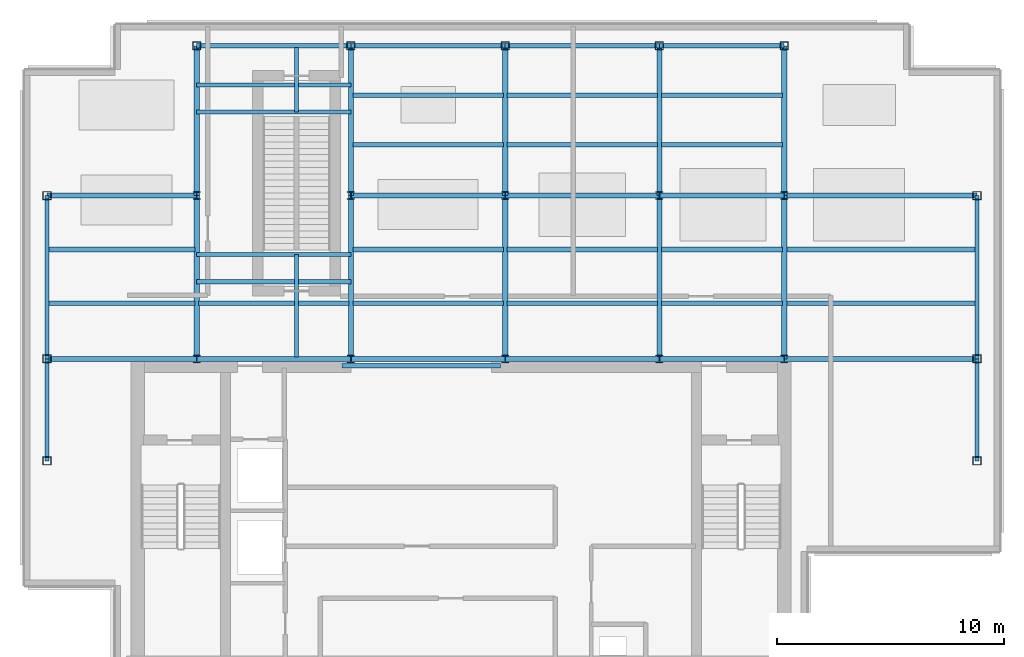
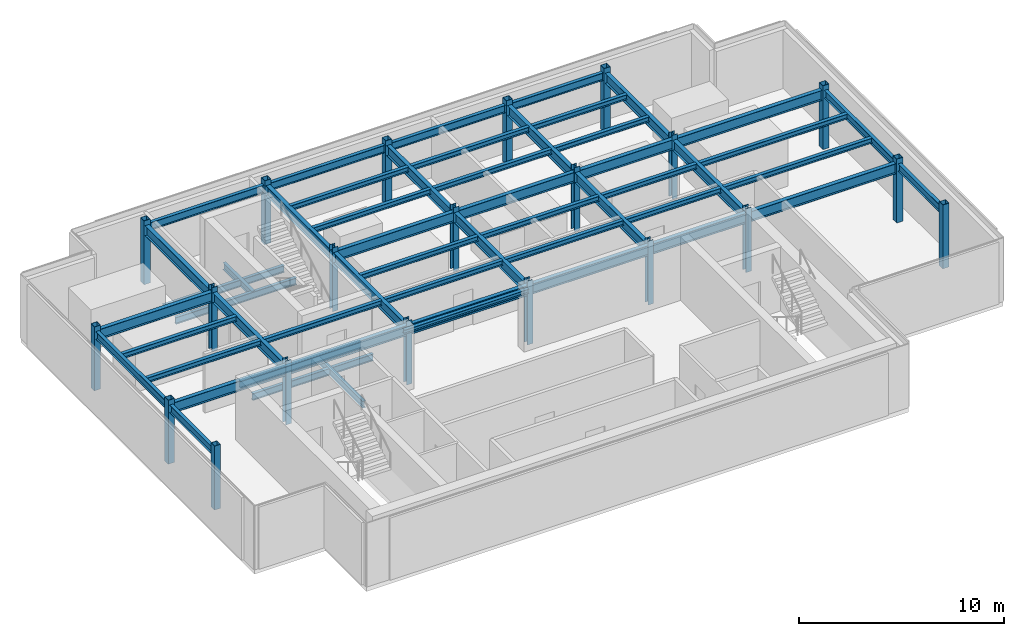
# One storey, part 1 of 7: 53 beams, 21 columns.
"""IFC4 building model written with IfcOpenShell, lengths in metres."""

from ifc_helpers import new_model, si_unit, derived_unit, direction, frame, origin, origin_2d, place, context, subcontext, project, spatial, hollow_rectangle, i_section, extrude, source, transform, mapped, material, material_profile, profile_set, type_object, element, save


model = new_model("IFC4")

# Units and contexts
model_context = context("Model", 3, precision=1e-05, world=origin(), true_north=direction((0.0, 1.0)))
body_context = subcontext(model_context, "Body", "Model", "MODEL_VIEW")
ifc_project = project(units=[si_unit("LENGTHUNIT", "METRE"), si_unit("AREAUNIT", "SQUARE_METRE"), si_unit("VOLUMEUNIT", "CUBIC_METRE"), si_unit("PLANEANGLEUNIT", "RADIAN"), si_unit("MASSUNIT", "GRAM", prefix="KILO"), derived_unit("THERMALTRANSMITTANCEUNIT", [(si_unit("POWERUNIT", "WATT"), 1), (si_unit("LENGTHUNIT", "METRE"), -2), (si_unit("THERMODYNAMICTEMPERATUREUNIT", "KELVIN"), -1)])], contexts=[model_context])

# Site, building, storey
site_placement = place(None, origin())
site = spatial("IfcSite", under=ifc_project, at=site_placement, CompositionType="ELEMENT")
building_placement = place(site_placement, origin())
building = spatial("IfcBuilding", under=site, at=building_placement, Name="Skarnbrae Concourse Arena and Tower", CompositionType="ELEMENT")
storey_placement = place(building_placement, frame((0.0, 0.0, 299.85009765625)))
storey = spatial("IfcBuildingStorey", under=building, at=storey_placement, Name="L78", CompositionType="ELEMENT", Elevation=299.85009765625)

# Columns
ifc_material = material(Name="Steel CSA G40.21 350W", Category="steel")
ifc_material_profile_1 = material_profile(ifc_material, hollow_rectangle(XDim=0.355712890625, YDim=0.355712890625, WallThickness=0.01904296875, at=origin_2d()), Name="HSS356X356X19.0")
ifc_profile_set_1 = profile_set([ifc_material_profile_1], Name="Steel CSA G40.21 350W")
column_type_1 = type_object("IfcColumnType", Name="COL-CROWN-HSS356", PredefinedType="COLUMN", material=ifc_profile_set_1)
shared_shape_1 = source(origin(), body_context, "Body", "SweptSolid", [
    extrude(hollow_rectangle(XDim=0.355712890625, YDim=0.355712890625, WallThickness=0.01904296875, at=origin_2d()), origin(), (0.0, 0.0, 1.0), 3.7998046875),
])
for number, where, z_axis, x_axis, name in (
    (1, (1.0, 9.5, 0.0), (0.0, 0.0, 1.0), (1.0, 0.0, 0.0), "L78 Tower column PC_01_01"),
    (2, (1.0, 14.0, 0.0), (0.0, 0.0, 1.0), (1.0, 0.0, 0.0), "L78 Tower column PC_01_02"),
    (3, (1.0, 21.199951171875, 0.0), (0.0, 0.0, 1.0), (1.0, 0.0, 0.0), "L78 Tower column PC_01_03"),
    (4, (7.60009765625, 27.800048828125, 0.0), (0.0, 0.0, 1.0), (1.0, 0.0, 0.0), "L78 Tower column PC_02_04"),
    (5, (14.39990234375, 27.800048828125, 0.0), (0.0, 0.0, 1.0), (1.0, 0.0, 0.0), "L78 Tower column PC_03_04"),
    (6, (21.199951171875, 27.800048828125, 0.0), (0.0, 0.0, 1.0), (1.0, 0.0, 0.0), "L78 Tower column PC_04_04"),
    (7, (28.0, 27.800048828125, 0.0), (0.0, 0.0, 1.0), (1.0, 0.0, 0.0), "L78 Tower column PC_05_04"),
    (8, (33.5, 27.800048828125, 0.0), (0.0, 0.0, 1.0), (1.0, 0.0, 0.0), "L78 Tower column PC_06_04"),
    (9, (42.0, 9.5, 0.0), (0.0, 0.0, 1.0), (1.0, 0.0, 0.0), "L78 Tower column PC_07_01"),
    (10, (42.0, 14.0, 0.0), (0.0, 0.0, 1.0), (1.0, 0.0, 0.0), "L78 Tower column PC_07_02"),
    (11, (42.0, 21.199951171875, 0.0), (0.0, 0.0, 1.0), (1.0, 0.0, 0.0), "L78 Tower column PC_07_03"),
):
    element("IfcColumn", number, at=place(storey_placement, frame(where, z_axis=z_axis, x_axis=x_axis)), inside=storey, type_object=column_type_1, Name=name, PredefinedType="COLUMN", context=body_context, shape_type="MappedRepresentation", body=[
        mapped(shared_shape_1, transform((0.0, 0.0, 0.0))),
    ])
ifc_material_profile_2 = material_profile(ifc_material, i_section(OverallWidth=0.30908203125, OverallDepth=0.322998046875, WebThickness=0.013916015625, FlangeThickness=0.02294921875, at=origin_2d()), Name="W310X143")
ifc_profile_set_2 = profile_set([ifc_material_profile_2], Name="Steel CSA G40.21 350W")
column_type_2 = type_object("IfcColumnType", Name="COL-INT-W310X143", PredefinedType="COLUMN", material=ifc_profile_set_2)
shared_shape_2 = source(origin(), body_context, "Body", "SweptSolid", [
    extrude(i_section(OverallWidth=0.30908203125, OverallDepth=0.322998046875, WebThickness=0.013916015625, FlangeThickness=0.02294921875, at=origin_2d()), origin(), (0.0, 0.0, 1.0), 3.7998046875),
])
for number, where, z_axis, x_axis, name in (
    (12, (7.60009765625, 14.0, 0.0), (0.0, 0.0, 1.0), (1.0, 0.0, 0.0), "L78 Tower column IC_02_02"),
    (13, (7.60009765625, 21.199951171875, 0.0), (0.0, 0.0, 1.0), (1.0, 0.0, 0.0), "L78 Tower column IC_02_03"),
    (14, (14.39990234375, 14.0, 0.0), (0.0, 0.0, 1.0), (1.0, 0.0, 0.0), "L78 Tower column IC_03_02"),
    (15, (14.39990234375, 21.199951171875, 0.0), (0.0, 0.0, 1.0), (1.0, 0.0, 0.0), "L78 Tower column IC_03_03"),
    (16, (21.199951171875, 14.0, 0.0), (0.0, 0.0, 1.0), (1.0, 0.0, 0.0), "L78 Tower column IC_04_02"),
    (17, (21.199951171875, 21.199951171875, 0.0), (0.0, 0.0, 1.0), (1.0, 0.0, 0.0), "L78 Tower column IC_04_03"),
    (18, (28.0, 14.0, 0.0), (0.0, 0.0, 1.0), (1.0, 0.0, 0.0), "L78 Tower column IC_05_02"),
    (19, (28.0, 21.199951171875, 0.0), (0.0, 0.0, 1.0), (1.0, 0.0, 0.0), "L78 Tower column IC_05_03"),
    (20, (33.5, 14.0, 0.0), (0.0, 0.0, 1.0), (1.0, 0.0, 0.0), "L78 Tower column IC_06_02"),
    (21, (33.5, 21.199951171875, 0.0), (0.0, 0.0, 1.0), (1.0, 0.0, 0.0), "L78 Tower column IC_06_03"),
):
    element("IfcColumn", number, at=place(storey_placement, frame(where, z_axis=z_axis, x_axis=x_axis)), inside=storey, type_object=column_type_2, Name=name, PredefinedType="COLUMN", context=body_context, shape_type="MappedRepresentation", body=[
        mapped(shared_shape_2, transform((0.0, 0.0, 0.0))),
    ])

# Beams
ifc_material_profile_3 = material_profile(ifc_material, i_section(OverallWidth=0.202880859375, OverallDepth=0.251953125, WebThickness=0.008056640625, FlangeThickness=0.013427734375, at=origin_2d()), Name="W250X58")
ifc_profile_set_3 = profile_set([ifc_material_profile_3], Name="Steel CSA G40.21 350W")
beam_type_1 = type_object("IfcBeamType", Name="BM-LINTEL-W250X58", PredefinedType="LINTEL", material=ifc_profile_set_3)
shared_shape_3 = source(origin(), body_context, "Body", "SweptSolid", [
    extrude(i_section(OverallWidth=0.202880859375, OverallDepth=0.251953125, WebThickness=0.008056640625, FlangeThickness=0.013427734375, at=origin_2d()), origin(), (0.0, 0.0, 1.0), 7.0),
])
beam_1_placement = place(storey_placement, frame((14.0, 13.699951171875, 3.3740234375), z_axis=(1.0, 0.0, 0.0), x_axis=(0.0, 1.0, 0.0)))
element("IfcBeam", 22, at=beam_1_placement, inside=storey, type_object=beam_type_1, Name="L78 Core portal coupling lintel", PredefinedType="LINTEL", context=body_context, shape_type="MappedRepresentation", body=[
    mapped(shared_shape_3, transform((0.0, 0.0, 0.0))),
])
ifc_material_profile_4 = material_profile(ifc_material, i_section(OverallWidth=0.22802734375, OverallDepth=0.60791015625, WebThickness=0.01123046875, FlangeThickness=0.017333984375, at=origin_2d()), Name="W610X113")
ifc_profile_set_4 = profile_set([ifc_material_profile_4], Name="Steel CSA G40.21 350W")
beam_type_2 = type_object("IfcBeamType", Name="BM-GIRD-W610X113", PredefinedType="BEAM", material=ifc_profile_set_4)
shared_shape_4 = source(origin(), body_context, "Body", "SweptSolid", [
    extrude(i_section(OverallWidth=0.22802734375, OverallDepth=0.60791015625, WebThickness=0.01123046875, FlangeThickness=0.017333984375, at=origin_2d()), origin(), (0.0, 0.0, 1.0), 6.60009765625),
])
for number, where, z_axis, x_axis, name in (
    (23, (1.0, 14.0, 3.19580078125), (1.0, 0.0, 0.0), (0.0, 1.0, 0.0), "L78 Primary E-W girder Y14.0-1"),
    (24, (1.0, 21.199951171875, 3.19580078125), (1.0, 0.0, 0.0), (0.0, 1.0, 0.0), "L78 Primary E-W girder Y21.2-1"),
    (25, (7.60009765625, 21.199951171875, 3.19580078125), (0.0, 1.0, 0.0), (-1.0, 0.0, 0.0), "L78 Primary N-S girder X7.6-2"),
    (26, (14.39990234375, 21.199951171875, 3.19580078125), (0.0, 1.0, 0.0), (-1.0, 0.0, 0.0), "L78 Primary N-S girder X14.4-2"),
    (27, (21.199951171875, 21.199951171875, 3.19580078125), (0.0, 1.0, 0.0), (-1.0, 0.0, 0.0), "L78 Primary N-S girder X21.2-2"),
    (28, (28.0, 21.199951171875, 3.19580078125), (0.0, 1.0, 0.0), (-1.0, 0.0, 0.0), "L78 Primary N-S girder X28.0-2"),
    (29, (33.5, 21.199951171875, 3.19580078125), (0.0, 1.0, 0.0), (-1.0, 0.0, 0.0), "L78 Primary N-S girder X33.5-2"),
):
    element("IfcBeam", number, at=place(storey_placement, frame(where, z_axis=z_axis, x_axis=x_axis)), inside=storey, type_object=beam_type_2, Name=name, PredefinedType="BEAM", context=body_context, shape_type="MappedRepresentation", body=[
        mapped(shared_shape_4, transform((0.0, 0.0, 0.0))),
    ])
shared_shape_5 = source(origin(), body_context, "Body", "SweptSolid", [
    extrude(i_section(OverallWidth=0.22802734375, OverallDepth=0.60791015625, WebThickness=0.01123046875, FlangeThickness=0.017333984375, at=origin_2d()), origin(), (0.0, 0.0, 1.0), 6.7998046875),
])
beam_2_placement = place(storey_placement, frame((7.60009765625, 14.0, 3.19580078125), z_axis=(1.0, 0.0, 0.0), x_axis=(0.0, 1.0, 0.0)))
element("IfcBeam", 30, at=beam_2_placement, inside=storey, type_object=beam_type_2, Name="L78 Primary E-W girder Y14.0-2", PredefinedType="BEAM", context=body_context, shape_type="MappedRepresentation", body=[
    mapped(shared_shape_5, transform((0.0, 0.0, 0.0))),
])
shared_shape_6 = source(origin(), body_context, "Body", "SweptSolid", [
    extrude(i_section(OverallWidth=0.22802734375, OverallDepth=0.60791015625, WebThickness=0.01123046875, FlangeThickness=0.017333984375, at=origin_2d()), origin(), (0.0, 0.0, 1.0), 6.800048828125),
])
for number, where, z_axis, x_axis, name in (
    (31, (14.39990234375, 14.0, 3.19580078125), (1.0, 0.0, 0.0), (0.0, 1.0, 0.0), "L78 Primary E-W girder Y14.0-3"),
    (32, (21.199951171875, 14.0, 3.19580078125), (1.0, 0.0, 0.0), (0.0, 1.0, 0.0), "L78 Primary E-W girder Y14.0-4"),
    (33, (14.39990234375, 21.199951171875, 3.19580078125), (1.0, 0.0, 0.0), (0.0, 1.0, 0.0), "L78 Primary E-W girder Y21.2-3"),
    (34, (21.199951171875, 21.199951171875, 3.19580078125), (1.0, 0.0, 0.0), (0.0, 1.0, 0.0), "L78 Primary E-W girder Y21.2-4"),
):
    element("IfcBeam", number, at=place(storey_placement, frame(where, z_axis=z_axis, x_axis=x_axis)), inside=storey, type_object=beam_type_2, Name=name, PredefinedType="BEAM", context=body_context, shape_type="MappedRepresentation", body=[
        mapped(shared_shape_6, transform((0.0, 0.0, 0.0))),
    ])
shared_shape_7 = source(origin(), body_context, "Body", "SweptSolid", [
    extrude(i_section(OverallWidth=0.22802734375, OverallDepth=0.60791015625, WebThickness=0.01123046875, FlangeThickness=0.017333984375, at=origin_2d()), origin(), (0.0, 0.0, 1.0), 5.5),
])
for number, where, z_axis, x_axis, name in (
    (35, (28.0, 14.0, 3.19580078125), (1.0, 0.0, 0.0), (0.0, 1.0, 0.0), "L78 Primary E-W girder Y14.0-5"),
    (36, (28.0, 21.199951171875, 3.19580078125), (1.0, 0.0, 0.0), (0.0, 1.0, 0.0), "L78 Primary E-W girder Y21.2-5"),
):
    element("IfcBeam", number, at=place(storey_placement, frame(where, z_axis=z_axis, x_axis=x_axis)), inside=storey, type_object=beam_type_2, Name=name, PredefinedType="BEAM", context=body_context, shape_type="MappedRepresentation", body=[
        mapped(shared_shape_7, transform((0.0, 0.0, 0.0))),
    ])
shared_shape_8 = source(origin(), body_context, "Body", "SweptSolid", [
    extrude(i_section(OverallWidth=0.22802734375, OverallDepth=0.60791015625, WebThickness=0.01123046875, FlangeThickness=0.017333984375, at=origin_2d()), origin(), (0.0, 0.0, 1.0), 8.5),
])
for number, where, z_axis, x_axis, name in (
    (37, (33.5, 14.0, 3.19580078125), (1.0, 0.0, 0.0), (0.0, 1.0, 0.0), "L78 Primary E-W girder Y14.0-6"),
    (38, (33.5, 21.199951171875, 3.19580078125), (1.0, 0.0, 0.0), (0.0, 1.0, 0.0), "L78 Primary E-W girder Y21.2-6"),
):
    element("IfcBeam", number, at=place(storey_placement, frame(where, z_axis=z_axis, x_axis=x_axis)), inside=storey, type_object=beam_type_2, Name=name, PredefinedType="BEAM", context=body_context, shape_type="MappedRepresentation", body=[
        mapped(shared_shape_8, transform((0.0, 0.0, 0.0))),
    ])
ifc_material_profile_5 = material_profile(ifc_material, i_section(OverallWidth=0.19091796875, OverallDepth=0.4599609375, WebThickness=0.010009765625, FlangeThickness=0.01611328125, at=origin_2d()), Name="W460X82")
ifc_profile_set_5 = profile_set([ifc_material_profile_5], Name="Steel CSA G40.21 350W")
beam_type_3 = type_object("IfcBeamType", Name="BM-SPAN-W460X82", PredefinedType="SPANDREL", material=ifc_profile_set_5)
shared_shape_9 = source(origin(), body_context, "Body", "SweptSolid", [
    extrude(i_section(OverallWidth=0.19091796875, OverallDepth=0.4599609375, WebThickness=0.010009765625, FlangeThickness=0.01611328125, at=origin_2d()), origin(), (0.0, 0.0, 1.0), 6.7998046875),
])
beam_3_placement = place(storey_placement, frame((7.60009765625, 27.800048828125, 3.27001953125), z_axis=(1.0, 0.0, 0.0), x_axis=(0.0, 1.0, 0.0)))
element("IfcBeam", 39, at=beam_3_placement, inside=storey, type_object=beam_type_3, Name="L78 Perimeter spandrel Y27.8-1", PredefinedType="SPANDREL", context=body_context, shape_type="MappedRepresentation", body=[
    mapped(shared_shape_9, transform((0.0, 0.0, 0.0))),
])
shared_shape_10 = source(origin(), body_context, "Body", "SweptSolid", [
    extrude(i_section(OverallWidth=0.19091796875, OverallDepth=0.4599609375, WebThickness=0.010009765625, FlangeThickness=0.01611328125, at=origin_2d()), origin(), (0.0, 0.0, 1.0), 6.800048828125),
])
for number, where, z_axis, x_axis, name in (
    (40, (14.39990234375, 27.800048828125, 3.27001953125), (1.0, 0.0, 0.0), (0.0, 1.0, 0.0), "L78 Perimeter spandrel Y27.8-2"),
    (41, (21.199951171875, 27.800048828125, 3.27001953125), (1.0, 0.0, 0.0), (0.0, 1.0, 0.0), "L78 Perimeter spandrel Y27.8-3"),
):
    element("IfcBeam", number, at=place(storey_placement, frame(where, z_axis=z_axis, x_axis=x_axis)), inside=storey, type_object=beam_type_3, Name=name, PredefinedType="SPANDREL", context=body_context, shape_type="MappedRepresentation", body=[
        mapped(shared_shape_10, transform((0.0, 0.0, 0.0))),
    ])
shared_shape_11 = source(origin(), body_context, "Body", "SweptSolid", [
    extrude(i_section(OverallWidth=0.19091796875, OverallDepth=0.4599609375, WebThickness=0.010009765625, FlangeThickness=0.01611328125, at=origin_2d()), origin(), (0.0, 0.0, 1.0), 5.5),
])
beam_4_placement = place(storey_placement, frame((28.0, 27.800048828125, 3.27001953125), z_axis=(1.0, 0.0, 0.0), x_axis=(0.0, 1.0, 0.0)))
element("IfcBeam", 42, at=beam_4_placement, inside=storey, type_object=beam_type_3, Name="L78 Perimeter spandrel Y27.8-4", PredefinedType="SPANDREL", context=body_context, shape_type="MappedRepresentation", body=[
    mapped(shared_shape_11, transform((0.0, 0.0, 0.0))),
])
shared_shape_12 = source(origin(), body_context, "Body", "SweptSolid", [
    extrude(i_section(OverallWidth=0.19091796875, OverallDepth=0.4599609375, WebThickness=0.010009765625, FlangeThickness=0.01611328125, at=origin_2d()), origin(), (0.0, 0.0, 1.0), 4.5),
])
for number, where, z_axis, x_axis, name in (
    (43, (1.0, 9.5, 3.27001953125), (0.0, 1.0, 0.0), (-1.0, 0.0, 0.0), "L78 Perimeter spandrel X1.0-1"),
    (44, (42.0, 9.5, 3.27001953125), (0.0, 1.0, 0.0), (-1.0, 0.0, 0.0), "L78 Perimeter spandrel X42.0-1"),
):
    element("IfcBeam", number, at=place(storey_placement, frame(where, z_axis=z_axis, x_axis=x_axis)), inside=storey, type_object=beam_type_3, Name=name, PredefinedType="SPANDREL", context=body_context, shape_type="MappedRepresentation", body=[
        mapped(shared_shape_12, transform((0.0, 0.0, 0.0))),
    ])
shared_shape_13 = source(origin(), body_context, "Body", "SweptSolid", [
    extrude(i_section(OverallWidth=0.19091796875, OverallDepth=0.4599609375, WebThickness=0.010009765625, FlangeThickness=0.01611328125, at=origin_2d()), origin(), (0.0, 0.0, 1.0), 7.199951171875),
])
for number, where, z_axis, x_axis, name in (
    (45, (1.0, 14.0, 3.27001953125), (0.0, 1.0, 0.0), (-1.0, 0.0, 0.0), "L78 Perimeter spandrel X1.0-2"),
    (46, (42.0, 14.0, 3.27001953125), (0.0, 1.0, 0.0), (-1.0, 0.0, 0.0), "L78 Perimeter spandrel X42.0-2"),
):
    element("IfcBeam", number, at=place(storey_placement, frame(where, z_axis=z_axis, x_axis=x_axis)), inside=storey, type_object=beam_type_3, Name=name, PredefinedType="SPANDREL", context=body_context, shape_type="MappedRepresentation", body=[
        mapped(shared_shape_13, transform((0.0, 0.0, 0.0))),
    ])
shared_shape_14 = source(origin(), body_context, "Body", "SweptSolid", [
    extrude(i_section(OverallWidth=0.22802734375, OverallDepth=0.60791015625, WebThickness=0.01123046875, FlangeThickness=0.017333984375, at=origin_2d()), origin(), (0.0, 0.0, 1.0), 7.199951171875),
])
for number, where, z_axis, x_axis, name in (
    (47, (7.60009765625, 14.0, 3.19580078125), (0.0, 1.0, 0.0), (-1.0, 0.0, 0.0), "L78 Primary N-S girder X7.6-1"),
    (48, (14.39990234375, 14.0, 3.19580078125), (0.0, 1.0, 0.0), (-1.0, 0.0, 0.0), "L78 Primary N-S girder X14.4-1"),
    (49, (21.199951171875, 14.0, 3.19580078125), (0.0, 1.0, 0.0), (-1.0, 0.0, 0.0), "L78 Primary N-S girder X21.2-1"),
    (50, (28.0, 14.0, 3.19580078125), (0.0, 1.0, 0.0), (-1.0, 0.0, 0.0), "L78 Primary N-S girder X28.0-1"),
    (51, (33.5, 14.0, 3.19580078125), (0.0, 1.0, 0.0), (-1.0, 0.0, 0.0), "L78 Primary N-S girder X33.5-1"),
):
    element("IfcBeam", number, at=place(storey_placement, frame(where, z_axis=z_axis, x_axis=x_axis)), inside=storey, type_object=beam_type_2, Name=name, PredefinedType="BEAM", context=body_context, shape_type="MappedRepresentation", body=[
        mapped(shared_shape_14, transform((0.0, 0.0, 0.0))),
    ])
ifc_material_profile_6 = material_profile(ifc_material, i_section(OverallWidth=0.202880859375, OverallDepth=0.302978515625, WebThickness=0.007568359375, FlangeThickness=0.01318359375, at=origin_2d()), Name="W310X60")
ifc_profile_set_6 = profile_set([ifc_material_profile_6], Name="Steel CSA G40.21 350W")
beam_type_4 = type_object("IfcBeamType", Name="BM-JOIST-W310X60", PredefinedType="JOIST", material=ifc_profile_set_6)
shared_shape_15 = source(origin(), body_context, "Body", "SweptSolid", [
    extrude(i_section(OverallWidth=0.202880859375, OverallDepth=0.302978515625, WebThickness=0.007568359375, FlangeThickness=0.01318359375, at=origin_2d()), origin(), (0.0, 0.0, 1.0), 6.43994140625),
])
for number, where, z_axis, x_axis, name in (
    (52, (1.080078125, 16.447998046875, 3.348388671875), (1.0, 0.0, 0.0), (0.0, 1.0, 0.0), "L78 Secondary floor joist 1.1.1"),
    (53, (1.080078125, 18.823974609375, 3.348388671875), (1.0, 0.0, 0.0), (0.0, 1.0, 0.0), "L78 Secondary floor joist 1.2.1"),
):
    element("IfcBeam", number, at=place(storey_placement, frame(where, z_axis=z_axis, x_axis=x_axis)), inside=storey, type_object=beam_type_4, Name=name, PredefinedType="JOIST", context=body_context, shape_type="MappedRepresentation", body=[
        mapped(shared_shape_15, transform((0.0, 0.0, 0.0))),
    ])
shared_shape_16 = source(origin(), body_context, "Body", "SweptSolid", [
    extrude(i_section(OverallWidth=0.202880859375, OverallDepth=0.302978515625, WebThickness=0.007568359375, FlangeThickness=0.01318359375, at=origin_2d()), origin(), (0.0, 0.0, 1.0), 6.64013671875),
])
for number, where, z_axis, x_axis, name in (
    (54, (7.679931640625, 16.447998046875, 3.348388671875), (1.0, 0.0, 0.0), (0.0, 1.0, 0.0), "L78 Secondary floor joist 1.1.2"),
    (55, (14.47998046875, 16.447998046875, 3.348388671875), (1.0, 0.0, 0.0), (0.0, 1.0, 0.0), "L78 Secondary floor joist 1.1.3"),
    (56, (14.47998046875, 18.823974609375, 3.348388671875), (1.0, 0.0, 0.0), (0.0, 1.0, 0.0), "L78 Secondary floor joist 1.2.3"),
    (57, (14.47998046875, 23.444091796875, 3.348388671875), (1.0, 0.0, 0.0), (0.0, 1.0, 0.0), "L78 Secondary floor joist 2.1.2"),
    (58, (14.47998046875, 25.6220703125, 3.348388671875), (1.0, 0.0, 0.0), (0.0, 1.0, 0.0), "L78 Secondary floor joist 2.2.2"),
):
    element("IfcBeam", number, at=place(storey_placement, frame(where, z_axis=z_axis, x_axis=x_axis)), inside=storey, type_object=beam_type_4, Name=name, PredefinedType="JOIST", context=body_context, shape_type="MappedRepresentation", body=[
        mapped(shared_shape_16, transform((0.0, 0.0, 0.0))),
    ])
shared_shape_17 = source(origin(), body_context, "Body", "SweptSolid", [
    extrude(i_section(OverallWidth=0.202880859375, OverallDepth=0.302978515625, WebThickness=0.007568359375, FlangeThickness=0.01318359375, at=origin_2d()), origin(), (0.0, 0.0, 1.0), 6.639892578125),
])
for number, where, z_axis, x_axis, name in (
    (59, (21.280029296875, 16.447998046875, 3.348388671875), (1.0, 0.0, 0.0), (0.0, 1.0, 0.0), "L78 Secondary floor joist 1.1.4"),
    (60, (21.280029296875, 18.823974609375, 3.348388671875), (1.0, 0.0, 0.0), (0.0, 1.0, 0.0), "L78 Secondary floor joist 1.2.4"),
    (61, (21.280029296875, 23.444091796875, 3.348388671875), (1.0, 0.0, 0.0), (0.0, 1.0, 0.0), "L78 Secondary floor joist 2.1.3"),
    (62, (21.280029296875, 25.6220703125, 3.348388671875), (1.0, 0.0, 0.0), (0.0, 1.0, 0.0), "L78 Secondary floor joist 2.2.3"),
):
    element("IfcBeam", number, at=place(storey_placement, frame(where, z_axis=z_axis, x_axis=x_axis)), inside=storey, type_object=beam_type_4, Name=name, PredefinedType="JOIST", context=body_context, shape_type="MappedRepresentation", body=[
        mapped(shared_shape_17, transform((0.0, 0.0, 0.0))),
    ])
shared_shape_18 = source(origin(), body_context, "Body", "SweptSolid", [
    extrude(i_section(OverallWidth=0.202880859375, OverallDepth=0.302978515625, WebThickness=0.007568359375, FlangeThickness=0.01318359375, at=origin_2d()), origin(), (0.0, 0.0, 1.0), 5.33984375),
])
for number, where, z_axis, x_axis, name in (
    (63, (28.080078125, 16.447998046875, 3.348388671875), (1.0, 0.0, 0.0), (0.0, 1.0, 0.0), "L78 Secondary floor joist 1.1.5"),
    (64, (28.080078125, 18.823974609375, 3.348388671875), (1.0, 0.0, 0.0), (0.0, 1.0, 0.0), "L78 Secondary floor joist 1.2.5"),
    (65, (28.080078125, 23.444091796875, 3.348388671875), (1.0, 0.0, 0.0), (0.0, 1.0, 0.0), "L78 Secondary floor joist 2.1.4"),
    (66, (28.080078125, 25.6220703125, 3.348388671875), (1.0, 0.0, 0.0), (0.0, 1.0, 0.0), "L78 Secondary floor joist 2.2.4"),
):
    element("IfcBeam", number, at=place(storey_placement, frame(where, z_axis=z_axis, x_axis=x_axis)), inside=storey, type_object=beam_type_4, Name=name, PredefinedType="JOIST", context=body_context, shape_type="MappedRepresentation", body=[
        mapped(shared_shape_18, transform((0.0, 0.0, 0.0))),
    ])
shared_shape_19 = source(origin(), body_context, "Body", "SweptSolid", [
    extrude(i_section(OverallWidth=0.202880859375, OverallDepth=0.302978515625, WebThickness=0.007568359375, FlangeThickness=0.01318359375, at=origin_2d()), origin(), (0.0, 0.0, 1.0), 8.33984375),
])
for number, where, z_axis, x_axis, name in (
    (67, (33.580078125, 16.447998046875, 3.348388671875), (1.0, 0.0, 0.0), (0.0, 1.0, 0.0), "L78 Secondary floor joist 1.1.6"),
    (68, (33.580078125, 18.823974609375, 3.348388671875), (1.0, 0.0, 0.0), (0.0, 1.0, 0.0), "L78 Secondary floor joist 1.2.6"),
):
    element("IfcBeam", number, at=place(storey_placement, frame(where, z_axis=z_axis, x_axis=x_axis)), inside=storey, type_object=beam_type_4, Name=name, PredefinedType="JOIST", context=body_context, shape_type="MappedRepresentation", body=[
        mapped(shared_shape_19, transform((0.0, 0.0, 0.0))),
    ])
ifc_material_profile_7 = material_profile(ifc_material, i_section(OverallWidth=0.177978515625, OverallDepth=0.406982421875, WebThickness=0.0078125, FlangeThickness=0.0126953125, at=origin_2d()), Name="W410X60")
ifc_profile_set_7 = profile_set([ifc_material_profile_7], Name="Steel CSA G40.21 350W")
beam_type_5 = type_object("IfcBeamType", Name="BM-JOIST-W410X60", PredefinedType="JOIST", material=ifc_profile_set_7)
shared_shape_20 = source(origin(), body_context, "Body", "SweptSolid", [
    extrude(i_section(OverallWidth=0.177978515625, OverallDepth=0.406982421875, WebThickness=0.0078125, FlangeThickness=0.0126953125, at=origin_2d()), origin(), (0.0, 0.0, 1.0), 6.7998046875),
])
for number, where, z_axis, x_axis, name in (
    (69, (7.60009765625, 17.39990234375, -0.501708984375), (1.0, 0.0, 0.0), (0.0, 1.0, 0.0), "L78 Crown stair ST-CRWN E-W framing beam 1"),
    (70, (7.60009765625, 18.60009765625, -0.501708984375), (1.0, 0.0, 0.0), (0.0, 1.0, 0.0), "L78 Crown stair ST-CRWN E-W framing beam 2"),
    (71, (7.60009765625, 24.8798828125, -0.501708984375), (1.0, 0.0, 0.0), (0.0, 1.0, 0.0), "L78 Crown stair ST-CRWN E-W framing beam 3"),
    (72, (7.60009765625, 26.080078125, -0.501708984375), (1.0, 0.0, 0.0), (0.0, 1.0, 0.0), "L78 Crown stair ST-CRWN E-W framing beam 4"),
):
    element("IfcBeam", number, at=place(storey_placement, frame(where, z_axis=z_axis, x_axis=x_axis)), inside=storey, type_object=beam_type_5, Name=name, PredefinedType="JOIST", context=body_context, shape_type="MappedRepresentation", body=[
        mapped(shared_shape_20, transform((0.0, 0.0, 0.0))),
    ])
shared_shape_21 = source(origin(), body_context, "Body", "SweptSolid", [
    extrude(i_section(OverallWidth=0.177978515625, OverallDepth=0.406982421875, WebThickness=0.0078125, FlangeThickness=0.0126953125, at=origin_2d()), origin(), (0.0, 0.0, 1.0), 4.52001953125),
])
beam_5_placement = place(storey_placement, frame((12.0, 14.080078125, -0.501708984375), z_axis=(0.0, 1.0, 0.0), x_axis=(-1.0, 0.0, 0.0)))
element("IfcBeam", 73, at=beam_5_placement, inside=storey, type_object=beam_type_5, Name="L78 Crown stair ST-CRWN N-S framing beam 1", PredefinedType="JOIST", context=body_context, shape_type="MappedRepresentation", body=[
    mapped(shared_shape_21, transform((0.0, 0.0, 0.0))),
])
shared_shape_22 = source(origin(), body_context, "Body", "SweptSolid", [
    extrude(i_section(OverallWidth=0.177978515625, OverallDepth=0.406982421875, WebThickness=0.0078125, FlangeThickness=0.0126953125, at=origin_2d()), origin(), (0.0, 0.0, 1.0), 2.840087890625),
])
beam_6_placement = place(storey_placement, frame((12.0, 24.8798828125, -0.501708984375), z_axis=(0.0, 1.0, 0.0), x_axis=(-1.0, 0.0, 0.0)))
element("IfcBeam", 74, at=beam_6_placement, inside=storey, type_object=beam_type_5, Name="L78 Crown stair ST-CRWN N-S framing beam 2", PredefinedType="JOIST", context=body_context, shape_type="MappedRepresentation", body=[
    mapped(shared_shape_22, transform((0.0, 0.0, 0.0))),
])

save(model, "model.ifc")
